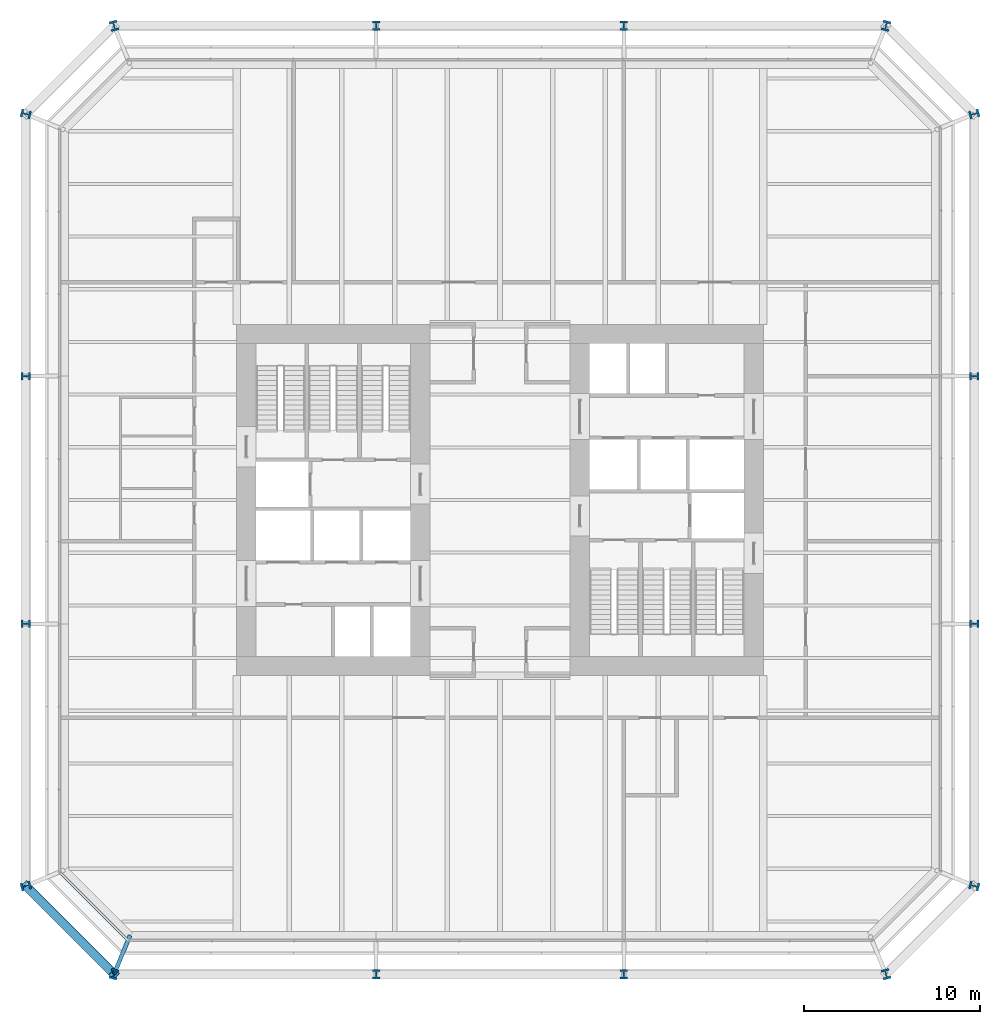
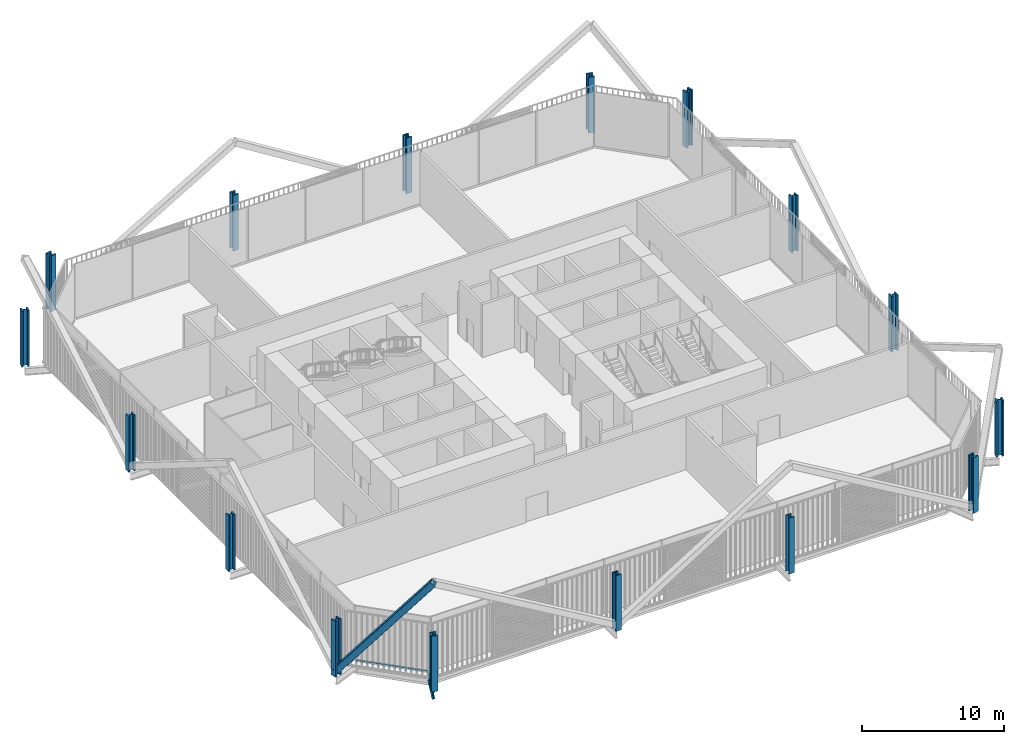
# One storey, part 1 of 22: 16 columns, 2 members, 1 beam, 1 element without a shape of its own.
"""IFC4 building model written with IfcOpenShell, lengths in metres."""

from ifc_helpers import new_model, si_unit, direction, frame, origin, origin_2d, place, context, subcontext, project, spatial, rectangle, hollow_rectangle, i_section, extrude, material, layer, layer_set, material_profile, profile_set, type_object, element, aggregate, save


model = new_model("IFC4")

# Units and contexts
model_context = context("Model", 3, precision=1e-05, world=origin(), true_north=direction((0.0, 1.0)))
body_context = subcontext(model_context, "Body", "Model", "MODEL_VIEW")
ifc_project = project(units=[si_unit("LENGTHUNIT", "METRE"), si_unit("AREAUNIT", "SQUARE_METRE"), si_unit("VOLUMEUNIT", "CUBIC_METRE"), si_unit("PLANEANGLEUNIT", "RADIAN"), si_unit("MASSUNIT", "GRAM", prefix="KILO")], contexts=[model_context])

# Site, building, storey
site_placement = place(None, origin())
site = spatial("IfcSite", under=ifc_project, at=site_placement, CompositionType="ELEMENT")
building_placement = place(site_placement, origin())
building = spatial("IfcBuilding", under=site, at=building_placement, Name="Millrace Tower", CompositionType="ELEMENT")
storey_placement = place(building_placement, frame((0.0, 0.0, 54.5)))
storey = spatial("IfcBuildingStorey", under=building, at=storey_placement, Name="L12", CompositionType="ELEMENT", Elevation=54.5)

# Columns
ifc_material_1 = material(Name="Steel ASTM A913 Grade 65", Category="steel")
ifc_material_profile_1 = material_profile(ifc_material_1, i_section(OverallWidth=0.44189453125, OverallDepth=0.53076171875, WebThickness=0.06591796875, FlangeThickness=0.105712890625, FilletRadius=0.01513671875, at=origin_2d()))
ifc_profile_set_1 = profile_set([ifc_material_profile_1], Name="Steel ASTM A913 Grade 65")
column_type_1 = type_object("IfcColumnType", Name="Exoskeleton column W14x605", PredefinedType="COLUMN", material=ifc_profile_set_1)
for number, where, z_axis, x_axis, name in (
    (1, (-7.050048828125, -27.0, 0.0), (0.0, 0.0, 1.0), (1.0, 0.0, 0.0), "COL-A-L12-X03"),
    (2, (7.050048828125, -27.0, 0.0), (0.0, 0.0, 1.0), (1.0, 0.0, 0.0), "COL-A-L12-X04"),
    (3, (27.0, -7.050048828125, 0.0), (0.0, 0.0, 1.0), (0.0, 1.0, 0.0), "COL-A-L12-X07"),
    (4, (27.0, 7.050048828125, 0.0), (0.0, 0.0, 1.0), (0.0, 1.0, 0.0), "COL-A-L12-X08"),
    (5, (7.050048828125, 27.0, 0.0), (0.0, 0.0, 1.0), (-1.0, 0.0, 0.0), "COL-A-L12-X11"),
    (6, (-7.050048828125, 27.0, 0.0), (0.0, 0.0, 1.0), (-1.0, 0.0, 0.0), "COL-A-L12-X12"),
    (7, (-27.0, 7.050048828125, 0.0), (0.0, 0.0, 1.0), (0.0, -1.0, 0.0), "COL-A-L12-X15"),
    (8, (-27.0, -7.050048828125, 0.0), (0.0, 0.0, 1.0), (0.0, -1.0, 0.0), "COL-A-L12-X16"),
):
    element("IfcColumn", number, at=place(storey_placement, frame(where, z_axis=z_axis, x_axis=x_axis)), inside=storey, type_object=column_type_1, Name=name, PredefinedType="COLUMN", context=body_context, shape_type="SweptSolid", body=[
        extrude(i_section(OverallWidth=0.44189453125, OverallDepth=0.53076171875, WebThickness=0.06591796875, FlangeThickness=0.105712890625, FilletRadius=0.01513671875, at=origin_2d()), origin(), (0.0, 0.0, 1.0), 4.800048828125),
    ])
ifc_material_2 = material(Name="Steel ASTM A913 Grade 65", Category="steel")
ifc_material_profile_2 = material_profile(ifc_material_2, i_section(OverallWidth=0.45458984375, OverallDepth=0.56884765625, WebThickness=0.077880859375, FlangeThickness=0.124755859375, FilletRadius=0.01513671875, at=origin_2d()))
ifc_profile_set_2 = profile_set([ifc_material_profile_2], Name="Steel ASTM A913 Grade 65")
column_type_2 = type_object("IfcColumnType", Name="Exoskeleton column W14x730", PredefinedType="COLUMN", material=ifc_profile_set_2)
for number, where, z_axis, x_axis, name in (
    (9, (-27.0, -21.978515625, 0.0), (0.0, 0.0, 1.0), (0.244094142872, -0.969751540043, 0.0), "COL-A-L12-X01"),
    (10, (-21.978515625, -27.0, 0.0), (0.0, 0.0, 1.0), (0.969751540043, -0.244094142872, 0.0), "COL-A-L12-X02"),
    (11, (21.978515625, -27.0, 0.0), (0.0, 0.0, 1.0), (0.969751540043, 0.244094142872, 0.0), "COL-A-L12-X05"),
    (12, (27.0, -21.978515625, 0.0), (0.0, 0.0, 1.0), (0.244094142872, 0.969751540043, 0.0), "COL-A-L12-X06"),
    (13, (27.0, 21.978515625, 0.0), (0.0, 0.0, 1.0), (-0.244094142872, 0.969751540043, 0.0), "COL-A-L12-X09"),
    (14, (21.978515625, 27.0, 0.0), (0.0, 0.0, 1.0), (-0.969751540043, 0.244094142872, 0.0), "COL-A-L12-X10"),
    (15, (-21.978515625, 27.0, 0.0), (0.0, 0.0, 1.0), (-0.969751540043, -0.244094142872, 0.0), "COL-A-L12-X13"),
    (16, (-27.0, 21.978515625, 0.0), (0.0, 0.0, 1.0), (-0.244094142872, -0.969751540043, 0.0), "COL-A-L12-X14"),
):
    element("IfcColumn", number, at=place(storey_placement, frame(where, z_axis=z_axis, x_axis=x_axis)), inside=storey, type_object=column_type_2, Name=name, PredefinedType="COLUMN", context=body_context, shape_type="SweptSolid", body=[
        extrude(i_section(OverallWidth=0.45458984375, OverallDepth=0.56884765625, WebThickness=0.077880859375, FlangeThickness=0.124755859375, FilletRadius=0.01513671875, at=origin_2d()), origin(), (0.0, 0.0, 1.0), 4.800048828125),
    ])

# Curtain wall, member
ifc_material_3 = material(Name="Aluminium and glass", Category="aluminium")
ifc_layer = layer(ifc_material_3, 0.14990234375)
ifc_layer_set = layer_set([ifc_layer], Name="Aluminium and glass")
curtain_wall_type = type_object("IfcCurtainWallType", Name="CW-2 data hall insulated curtain wall", PredefinedType="NOTDEFINED", material=ifc_layer_set)
curtain_wall_placement = place(storey_placement, origin())
curtain_wall = element("IfcCurtainWall", 17, at=curtain_wall_placement, inside=storey, type_object=curtain_wall_type, Name="Curtain wall A-F01 L12", PredefinedType="NOTDEFINED")
ifc_material_4 = material(Name="Aluminium", Category="aluminium")
ifc_material_profile_3 = material_profile(ifc_material_4, rectangle(XDim=0.14990234375, YDim=0.159912109375, at=origin_2d()))
ifc_profile_set_3 = profile_set([ifc_material_profile_3], Name="Aluminium")
member_type_1 = type_object("IfcMemberType", Name="CW-2 data hall insulated curtain wall transom", PredefinedType="USERDEFINED", material=ifc_profile_set_3)
member_1_placement = place(storey_placement, frame((-24.982421875, -21.273681640625, 0.080078125), z_axis=(0.707106781187, -0.707106781187, 0.0), x_axis=(0.707106781187, 0.707106781187, 0.0)))
member_1 = element("IfcMember", 18, at=member_1_placement, type_object=member_type_1, Name="CW2 transom A-F01.1", ObjectType="TRANSOM", PredefinedType="USERDEFINED", context=body_context, shape_type="SweptSolid", body=[
    extrude(rectangle(XDim=0.14990234375, YDim=0.159912109375, at=origin_2d()), origin(), (0.0, 0.0, 1.0), 5.244873046875),
])
aggregate(curtain_wall, [member_1])

# Member
ifc_material_5 = material(Name="Steel ASTM A500 Grade C", Category="steel")
ifc_material_profile_4 = material_profile(ifc_material_5, hollow_rectangle(XDim=0.508056640625, YDim=0.508056640625, WallThickness=0.01904296875, InnerFilletRadius=0.009521484375, OuterFilletRadius=0.028564453125, at=origin_2d()))
ifc_profile_set_4 = profile_set([ifc_material_profile_4], Name="Steel ASTM A500 Grade C")
member_type_2 = type_object("IfcMemberType", Name="Exoskeleton brace HSS20x20x3/4", PredefinedType="BRACE", material=ifc_profile_set_4)
member_2_placement = place(storey_placement, frame((-27.0, -21.978515625, 0.39990234375), z_axis=(0.444063713793, -0.444063713793, 0.77821259061), x_axis=(0.707106781187, 0.707106781187, 0.0)))
element("IfcMember", 19, at=member_2_placement, inside=storey, type_object=member_type_2, Name="BRC-A-L12-01", PredefinedType="BRACE", context=body_context, shape_type="SweptSolid", body=[
    extrude(hollow_rectangle(XDim=0.508056640625, YDim=0.508056640625, WallThickness=0.01904296875, InnerFilletRadius=0.009521484375, OuterFilletRadius=0.028564453125, at=origin_2d()), origin(), (0.0, 0.0, 1.0), 11.30810546875),
])

# Beam
ifc_material_6 = material(Name="Steel ASTM A992 Grade 50", Category="steel")
ifc_material_profile_5 = material_profile(ifc_material_6, i_section(OverallWidth=0.23046875, OverallDepth=0.6171875, WebThickness=0.01318359375, FlangeThickness=0.022216796875, FilletRadius=0.012939453125, at=origin_2d()))
ifc_profile_set_5 = profile_set([ifc_material_profile_5], Name="Steel ASTM A992 Grade 50")
beam_type = type_object("IfcBeamType", Name="Link beam W24x94", PredefinedType="BEAM", material=ifc_profile_set_5)
beam_placement = place(storey_placement, frame((-21.062744140625, -24.7890625, -0.53369140625), z_axis=(-0.382673155247, -0.923883789366, 0.0), x_axis=(0.923883789366, -0.382673155247, 0.0)))
element("IfcBeam", 20, at=beam_placement, inside=storey, type_object=beam_type, Name="LNK-A-L12-S1-16", PredefinedType="BEAM", context=body_context, shape_type="SweptSolid", body=[
    extrude(i_section(OverallWidth=0.23046875, OverallDepth=0.6171875, WebThickness=0.01318359375, FlangeThickness=0.022216796875, FilletRadius=0.012939453125, at=origin_2d()), origin(), (0.0, 0.0, 1.0), 2.39306640625),
])

save(model, "model.ifc")
